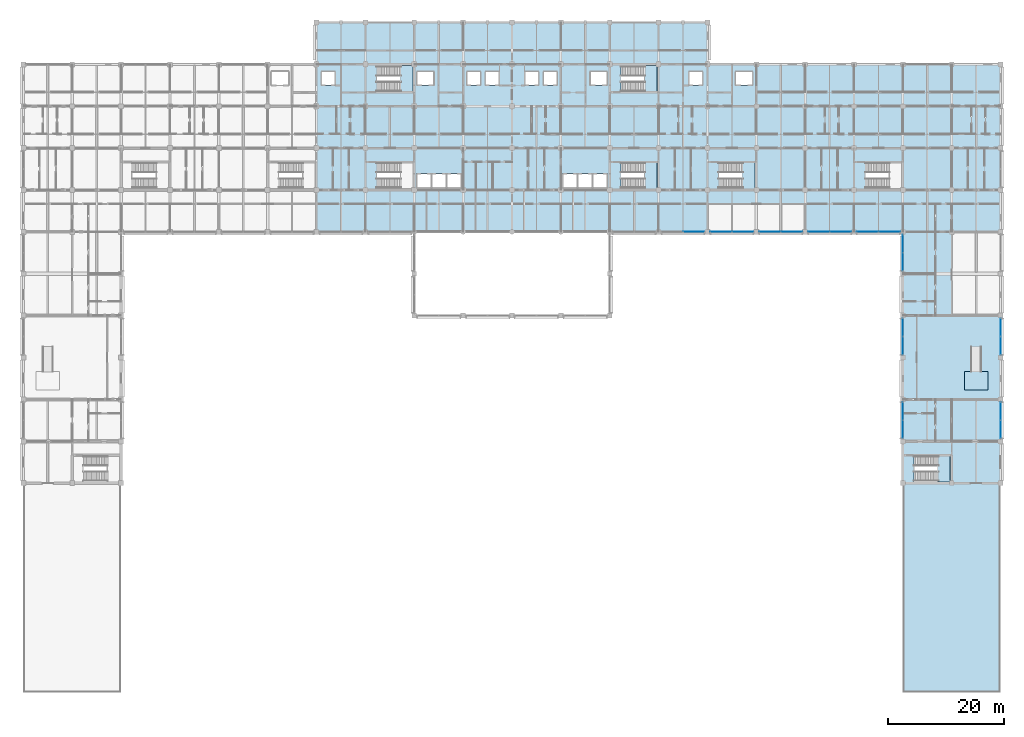
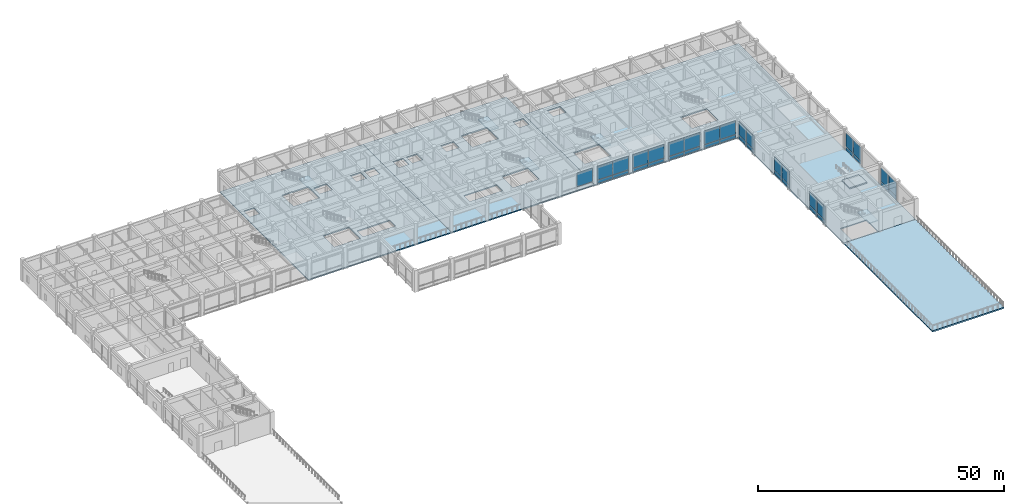
# One storey, part 19 of 51: 37 plates, 10 slabs, 15 elements without a shape of their own.
"""IFC4 building model written with IfcOpenShell, lengths in metres."""

from ifc_helpers import new_model, si_unit, direction, frame, origin, origin_2d, place, context, subcontext, project, spatial, polyline, rectangle, outline, extrude, material, layer, layer_set, type_object, element, aggregate, save


model = new_model("IFC4")

# Units and contexts
model_context = context("Model", 3, precision=1e-05, world=origin(), true_north=direction((0.0, 1.0)))
body_context = subcontext(model_context, "Body", "Model", "MODEL_VIEW")
ifc_project = project(units=[si_unit("LENGTHUNIT", "METRE"), si_unit("AREAUNIT", "SQUARE_METRE"), si_unit("VOLUMEUNIT", "CUBIC_METRE"), si_unit("PLANEANGLEUNIT", "RADIAN"), si_unit("MASSUNIT", "GRAM", prefix="KILO")], contexts=[model_context])

# Site, building, storey
site_placement = place(None, origin())
site = spatial("IfcSite", under=ifc_project, at=site_placement, CompositionType="ELEMENT")
building_placement = place(site_placement, origin())
building = spatial("IfcBuilding", under=site, at=building_placement, Name="Chengyuan Square Courthouse", CompositionType="ELEMENT")
storey_placement = place(building_placement, frame((0.0, 0.0, 10.800048828125)))
storey = spatial("IfcBuildingStorey", under=building, at=storey_placement, Name="L03", CompositionType="ELEMENT", Elevation=10.800048828125)

# Curtain wall, plate
ifc_material_1 = material(Name="Unitised Aluminium and Triple Low-E Glass", Category="aluminium")
ifc_layer_1 = layer(ifc_material_1, 0.199951171875)
ifc_layer_set_1 = layer_set([ifc_layer_1], Name="Unitised Aluminium and Triple Low-E Glass")
curtain_wall_type_1 = type_object("IfcCurtainWallType", Name="CW-07", PredefinedType="USERDEFINED", material=ifc_layer_set_1)
curtain_wall_1_placement = place(storey_placement, origin())
curtain_wall_1 = element("IfcCurtainWall", 1, at=curtain_wall_1_placement, inside=storey, type_object=curtain_wall_type_1, Name="Unitised Curtain Wall CW-L03-114", ObjectType="UNITISED CURTAIN WALL", PredefinedType="USERDEFINED")
ifc_material_2 = material(Name="Triple Low-E Insulating Glass", Category="glass")
ifc_layer_2 = layer(ifc_material_2, 0.02392578125)
ifc_layer_set_2 = layer_set([ifc_layer_2], Name="Triple Low-E Insulating Glass")
plate_type_1 = type_object("IfcPlateType", Name="CWP-01", PredefinedType="CURTAIN_PANEL", material=ifc_layer_set_2)
plate_1_placement = place(storey_placement, frame((115.257568359375, 79.199951171875, 0.98486328125), z_axis=(0.0, 0.0, 1.0), x_axis=(1.0, 0.0, 0.0)))
plate_1 = element("IfcPlate", 2, at=plate_1_placement, type_object=plate_type_1, Name="CW-07 panel 2.2", PredefinedType="CURTAIN_PANEL", context=body_context, shape_type="SweptSolid", body=[
    extrude(rectangle(XDim=3.64501953125, YDim=0.02392578125, at=origin_2d()), origin(), (0.0, 0.0, 1.0), 3.4150390625),
])
aggregate(curtain_wall_1, [plate_1])

# Curtain wall, plates
curtain_wall_2_placement = place(storey_placement, origin())
curtain_wall_2 = element("IfcCurtainWall", 3, at=curtain_wall_2_placement, inside=storey, type_object=curtain_wall_type_1, Name="Unitised Curtain Wall CW-L03-115", ObjectType="UNITISED CURTAIN WALL", PredefinedType="USERDEFINED")
plate_2_placement = place(storey_placement, frame((119.94873046875, 79.199951171875, 0.06982421875), z_axis=(0.0, 0.0, 1.0), x_axis=(1.0, 0.0, 0.0)))
plate_2 = element("IfcPlate", 4, at=plate_2_placement, type_object=plate_type_1, Name="CW-07 panel 1.1", PredefinedType="CURTAIN_PANEL", context=body_context, shape_type="SweptSolid", body=[
    extrude(rectangle(XDim=3.657470703125, YDim=0.02392578125, at=origin_2d()), origin(), (0.0, 0.0, 1.0), 0.844970703125),
])
plate_3_placement = place(storey_placement, frame((119.94873046875, 79.199951171875, 0.98486328125), z_axis=(0.0, 0.0, 1.0), x_axis=(1.0, 0.0, 0.0)))
plate_3 = element("IfcPlate", 5, at=plate_3_placement, type_object=plate_type_1, Name="CW-07 panel 1.2", PredefinedType="CURTAIN_PANEL", context=body_context, shape_type="SweptSolid", body=[
    extrude(rectangle(XDim=3.657470703125, YDim=0.02392578125, at=origin_2d()), origin(), (0.0, 0.0, 1.0), 3.4150390625),
])
plate_4_placement = place(storey_placement, frame((123.67626953125, 79.199951171875, 0.06982421875), z_axis=(0.0, 0.0, 1.0), x_axis=(1.0, 0.0, 0.0)))
plate_4 = element("IfcPlate", 6, at=plate_4_placement, type_object=plate_type_1, Name="CW-07 panel 2.1", PredefinedType="CURTAIN_PANEL", context=body_context, shape_type="SweptSolid", body=[
    extrude(rectangle(XDim=3.657470703125, YDim=0.02392578125, at=origin_2d()), origin(), (0.0, 0.0, 1.0), 0.844970703125),
])
plate_5_placement = place(storey_placement, frame((123.67626953125, 79.199951171875, 0.98486328125), z_axis=(0.0, 0.0, 1.0), x_axis=(1.0, 0.0, 0.0)))
plate_5 = element("IfcPlate", 7, at=plate_5_placement, type_object=plate_type_1, Name="CW-07 panel 2.2", PredefinedType="CURTAIN_PANEL", context=body_context, shape_type="SweptSolid", body=[
    extrude(rectangle(XDim=3.657470703125, YDim=0.02392578125, at=origin_2d()), origin(), (0.0, 0.0, 1.0), 3.4150390625),
])
aggregate(curtain_wall_2, [plate_2, plate_3, plate_4, plate_5])

curtain_wall_3_placement = place(storey_placement, origin())
curtain_wall_3 = element("IfcCurtainWall", 8, at=curtain_wall_3_placement, inside=storey, type_object=curtain_wall_type_1, Name="Unitised Curtain Wall CW-L03-116", ObjectType="UNITISED CURTAIN WALL", PredefinedType="USERDEFINED")
plate_6_placement = place(storey_placement, frame((128.330078125, 79.199951171875, 0.06982421875), z_axis=(0.0, 0.0, 1.0), x_axis=(1.0, 0.0, 0.0)))
plate_6 = element("IfcPlate", 9, at=plate_6_placement, type_object=plate_type_1, Name="CW-07 panel 1.1", PredefinedType="CURTAIN_PANEL", context=body_context, shape_type="SweptSolid", body=[
    extrude(rectangle(XDim=3.669921875, YDim=0.02392578125, at=origin_2d()), origin(), (0.0, 0.0, 1.0), 0.844970703125),
])
plate_7_placement = place(storey_placement, frame((128.330078125, 79.199951171875, 0.98486328125), z_axis=(0.0, 0.0, 1.0), x_axis=(1.0, 0.0, 0.0)))
plate_7 = element("IfcPlate", 10, at=plate_7_placement, type_object=plate_type_1, Name="CW-07 panel 1.2", PredefinedType="CURTAIN_PANEL", context=body_context, shape_type="SweptSolid", body=[
    extrude(rectangle(XDim=3.669921875, YDim=0.02392578125, at=origin_2d()), origin(), (0.0, 0.0, 1.0), 3.4150390625),
])
plate_8_placement = place(storey_placement, frame((132.070068359375, 79.199951171875, 0.06982421875), z_axis=(0.0, 0.0, 1.0), x_axis=(1.0, 0.0, 0.0)))
plate_8 = element("IfcPlate", 11, at=plate_8_placement, type_object=plate_type_1, Name="CW-07 panel 2.1", PredefinedType="CURTAIN_PANEL", context=body_context, shape_type="SweptSolid", body=[
    extrude(rectangle(XDim=3.669921875, YDim=0.02392578125, at=origin_2d()), origin(), (0.0, 0.0, 1.0), 0.844970703125),
])
plate_9_placement = place(storey_placement, frame((132.070068359375, 79.199951171875, 0.98486328125), z_axis=(0.0, 0.0, 1.0), x_axis=(1.0, 0.0, 0.0)))
plate_9 = element("IfcPlate", 12, at=plate_9_placement, type_object=plate_type_1, Name="CW-07 panel 2.2", PredefinedType="CURTAIN_PANEL", context=body_context, shape_type="SweptSolid", body=[
    extrude(rectangle(XDim=3.669921875, YDim=0.02392578125, at=origin_2d()), origin(), (0.0, 0.0, 1.0), 3.4150390625),
])
aggregate(curtain_wall_3, [plate_6, plate_7, plate_8, plate_9])

curtain_wall_4_placement = place(storey_placement, origin())
curtain_wall_4 = element("IfcCurtainWall", 13, at=curtain_wall_4_placement, inside=storey, type_object=curtain_wall_type_1, Name="Unitised Curtain Wall CW-L03-117", ObjectType="UNITISED CURTAIN WALL", PredefinedType="USERDEFINED")
plate_10_placement = place(storey_placement, frame((136.72998046875, 79.199951171875, 0.06982421875), z_axis=(0.0, 0.0, 1.0), x_axis=(1.0, 0.0, 0.0)))
plate_10 = element("IfcPlate", 14, at=plate_10_placement, type_object=plate_type_1, Name="CW-07 panel 1.1", PredefinedType="CURTAIN_PANEL", context=body_context, shape_type="SweptSolid", body=[
    extrude(rectangle(XDim=3.669921875, YDim=0.02392578125, at=origin_2d()), origin(), (0.0, 0.0, 1.0), 0.844970703125),
])
plate_11_placement = place(storey_placement, frame((136.72998046875, 79.199951171875, 0.98486328125), z_axis=(0.0, 0.0, 1.0), x_axis=(1.0, 0.0, 0.0)))
plate_11 = element("IfcPlate", 15, at=plate_11_placement, type_object=plate_type_1, Name="CW-07 panel 1.2", PredefinedType="CURTAIN_PANEL", context=body_context, shape_type="SweptSolid", body=[
    extrude(rectangle(XDim=3.669921875, YDim=0.02392578125, at=origin_2d()), origin(), (0.0, 0.0, 1.0), 3.4150390625),
])
plate_12_placement = place(storey_placement, frame((140.469970703125, 79.199951171875, 0.06982421875), z_axis=(0.0, 0.0, 1.0), x_axis=(1.0, 0.0, 0.0)))
plate_12 = element("IfcPlate", 16, at=plate_12_placement, type_object=plate_type_1, Name="CW-07 panel 2.1", PredefinedType="CURTAIN_PANEL", context=body_context, shape_type="SweptSolid", body=[
    extrude(rectangle(XDim=3.669921875, YDim=0.02392578125, at=origin_2d()), origin(), (0.0, 0.0, 1.0), 0.844970703125),
])
plate_13_placement = place(storey_placement, frame((140.469970703125, 79.199951171875, 0.98486328125), z_axis=(0.0, 0.0, 1.0), x_axis=(1.0, 0.0, 0.0)))
plate_13 = element("IfcPlate", 17, at=plate_13_placement, type_object=plate_type_1, Name="CW-07 panel 2.2", PredefinedType="CURTAIN_PANEL", context=body_context, shape_type="SweptSolid", body=[
    extrude(rectangle(XDim=3.669921875, YDim=0.02392578125, at=origin_2d()), origin(), (0.0, 0.0, 1.0), 3.4150390625),
])
aggregate(curtain_wall_4, [plate_10, plate_11, plate_12, plate_13])

curtain_wall_5_placement = place(storey_placement, origin())
curtain_wall_5 = element("IfcCurtainWall", 18, at=curtain_wall_5_placement, inside=storey, type_object=curtain_wall_type_1, Name="Unitised Curtain Wall CW-L03-118", ObjectType="UNITISED CURTAIN WALL", PredefinedType="USERDEFINED")
plate_14_placement = place(storey_placement, frame((145.1298828125, 79.199951171875, 0.06982421875), z_axis=(0.0, 0.0, 1.0), x_axis=(1.0, 0.0, 0.0)))
plate_14 = element("IfcPlate", 19, at=plate_14_placement, type_object=plate_type_1, Name="CW-07 panel 1.1", PredefinedType="CURTAIN_PANEL", context=body_context, shape_type="SweptSolid", body=[
    extrude(rectangle(XDim=3.669921875, YDim=0.02392578125, at=origin_2d()), origin(), (0.0, 0.0, 1.0), 0.844970703125),
])
plate_15_placement = place(storey_placement, frame((145.1298828125, 79.199951171875, 0.98486328125), z_axis=(0.0, 0.0, 1.0), x_axis=(1.0, 0.0, 0.0)))
plate_15 = element("IfcPlate", 20, at=plate_15_placement, type_object=plate_type_1, Name="CW-07 panel 1.2", PredefinedType="CURTAIN_PANEL", context=body_context, shape_type="SweptSolid", body=[
    extrude(rectangle(XDim=3.669921875, YDim=0.02392578125, at=origin_2d()), origin(), (0.0, 0.0, 1.0), 3.4150390625),
])
plate_16_placement = place(storey_placement, frame((148.8701171875, 79.199951171875, 0.06982421875), z_axis=(0.0, 0.0, 1.0), x_axis=(1.0, 0.0, 0.0)))
plate_16 = element("IfcPlate", 21, at=plate_16_placement, type_object=plate_type_1, Name="CW-07 panel 2.1", PredefinedType="CURTAIN_PANEL", context=body_context, shape_type="SweptSolid", body=[
    extrude(rectangle(XDim=3.669921875, YDim=0.02392578125, at=origin_2d()), origin(), (0.0, 0.0, 1.0), 0.844970703125),
])
plate_17_placement = place(storey_placement, frame((148.8701171875, 79.199951171875, 0.98486328125), z_axis=(0.0, 0.0, 1.0), x_axis=(1.0, 0.0, 0.0)))
plate_17 = element("IfcPlate", 22, at=plate_17_placement, type_object=plate_type_1, Name="CW-07 panel 2.2", PredefinedType="CURTAIN_PANEL", context=body_context, shape_type="SweptSolid", body=[
    extrude(rectangle(XDim=3.669921875, YDim=0.02392578125, at=origin_2d()), origin(), (0.0, 0.0, 1.0), 3.4150390625),
])
aggregate(curtain_wall_5, [plate_14, plate_15, plate_16, plate_17])

ifc_layer_3 = layer(ifc_material_1, 0.219970703125)
ifc_layer_set_3 = layer_set([ifc_layer_3], Name="Unitised Aluminium and Triple Low-E Glass")
curtain_wall_type_2 = type_object("IfcCurtainWallType", Name="CW-20", PredefinedType="USERDEFINED", material=ifc_layer_set_3)
curtain_wall_6_placement = place(storey_placement, origin())
curtain_wall_6 = element("IfcCurtainWall", 23, at=curtain_wall_6_placement, inside=storey, type_object=curtain_wall_type_2, Name="Unitised Curtain Wall CW-L03-119", ObjectType="UNITISED CURTAIN WALL", PredefinedType="USERDEFINED")
ifc_layer_4 = layer(ifc_material_2, 0.031982421875)
ifc_layer_set_4 = layer_set([ifc_layer_4], Name="Triple Low-E Insulating Glass")
plate_type_2 = type_object("IfcPlateType", Name="CWP-02", PredefinedType="CURTAIN_PANEL", material=ifc_layer_set_4)
plate_18_placement = place(storey_placement, frame((151.199951171875, 45.232421875, 0.079833984375), z_axis=(0.0, 0.0, 1.0), x_axis=(0.0, 1.0, 0.0)))
plate_18 = element("IfcPlate", 24, at=plate_18_placement, type_object=plate_type_2, Name="CW-20 panel 1.1", PredefinedType="CURTAIN_PANEL", context=body_context, shape_type="SweptSolid", body=[
    extrude(rectangle(XDim=3.054931640625, YDim=0.031982421875, at=origin_2d()), origin(), (0.0, 0.0, 1.0), 0.830078125),
])
plate_19_placement = place(storey_placement, frame((151.199951171875, 45.232421875, 0.989990234375), z_axis=(0.0, 0.0, 1.0), x_axis=(0.0, 1.0, 0.0)))
plate_19 = element("IfcPlate", 25, at=plate_19_placement, type_object=plate_type_2, Name="CW-20 panel 1.2", PredefinedType="CURTAIN_PANEL", context=body_context, shape_type="SweptSolid", body=[
    extrude(rectangle(XDim=3.054931640625, YDim=0.031982421875, at=origin_2d()), origin(), (0.0, 0.0, 1.0), 3.39990234375),
])
plate_20_placement = place(storey_placement, frame((151.199951171875, 48.367431640625, 0.079833984375), z_axis=(0.0, 0.0, 1.0), x_axis=(0.0, 1.0, 0.0)))
plate_20 = element("IfcPlate", 26, at=plate_20_placement, type_object=plate_type_2, Name="CW-20 panel 2.1", PredefinedType="CURTAIN_PANEL", context=body_context, shape_type="SweptSolid", body=[
    extrude(rectangle(XDim=3.054931640625, YDim=0.031982421875, at=origin_2d()), origin(), (0.0, 0.0, 1.0), 0.830078125),
])
plate_21_placement = place(storey_placement, frame((151.199951171875, 48.367431640625, 0.989990234375), z_axis=(0.0, 0.0, 1.0), x_axis=(0.0, 1.0, 0.0)))
plate_21 = element("IfcPlate", 27, at=plate_21_placement, type_object=plate_type_2, Name="CW-20 panel 2.2", PredefinedType="CURTAIN_PANEL", context=body_context, shape_type="SweptSolid", body=[
    extrude(rectangle(XDim=3.054931640625, YDim=0.031982421875, at=origin_2d()), origin(), (0.0, 0.0, 1.0), 3.39990234375),
])
aggregate(curtain_wall_6, [plate_18, plate_19, plate_20, plate_21])

curtain_wall_7_placement = place(storey_placement, origin())
curtain_wall_7 = element("IfcCurtainWall", 28, at=curtain_wall_7_placement, inside=storey, type_object=curtain_wall_type_2, Name="Unitised Curtain Wall CW-L03-120", ObjectType="UNITISED CURTAIN WALL", PredefinedType="USERDEFINED")
plate_22_placement = place(storey_placement, frame((151.199951171875, 59.632568359375, 0.079833984375), z_axis=(0.0, 0.0, 1.0), x_axis=(0.0, 1.0, 0.0)))
plate_22 = element("IfcPlate", 29, at=plate_22_placement, type_object=plate_type_2, Name="CW-20 panel 1.1", PredefinedType="CURTAIN_PANEL", context=body_context, shape_type="SweptSolid", body=[
    extrude(rectangle(XDim=3.054931640625, YDim=0.031982421875, at=origin_2d()), origin(), (0.0, 0.0, 1.0), 0.830078125),
])
plate_23_placement = place(storey_placement, frame((151.199951171875, 59.632568359375, 0.989990234375), z_axis=(0.0, 0.0, 1.0), x_axis=(0.0, 1.0, 0.0)))
plate_23 = element("IfcPlate", 30, at=plate_23_placement, type_object=plate_type_2, Name="CW-20 panel 1.2", PredefinedType="CURTAIN_PANEL", context=body_context, shape_type="SweptSolid", body=[
    extrude(rectangle(XDim=3.054931640625, YDim=0.031982421875, at=origin_2d()), origin(), (0.0, 0.0, 1.0), 3.39990234375),
])
plate_24_placement = place(storey_placement, frame((151.199951171875, 62.767578125, 0.079833984375), z_axis=(0.0, 0.0, 1.0), x_axis=(0.0, 1.0, 0.0)))
plate_24 = element("IfcPlate", 31, at=plate_24_placement, type_object=plate_type_2, Name="CW-20 panel 2.1", PredefinedType="CURTAIN_PANEL", context=body_context, shape_type="SweptSolid", body=[
    extrude(rectangle(XDim=3.054931640625, YDim=0.031982421875, at=origin_2d()), origin(), (0.0, 0.0, 1.0), 0.830078125),
])
plate_25_placement = place(storey_placement, frame((151.199951171875, 62.767578125, 0.989990234375), z_axis=(0.0, 0.0, 1.0), x_axis=(0.0, 1.0, 0.0)))
plate_25 = element("IfcPlate", 32, at=plate_25_placement, type_object=plate_type_2, Name="CW-20 panel 2.2", PredefinedType="CURTAIN_PANEL", context=body_context, shape_type="SweptSolid", body=[
    extrude(rectangle(XDim=3.054931640625, YDim=0.031982421875, at=origin_2d()), origin(), (0.0, 0.0, 1.0), 3.39990234375),
])
aggregate(curtain_wall_7, [plate_22, plate_23, plate_24, plate_25])

curtain_wall_8_placement = place(storey_placement, origin())
curtain_wall_8 = element("IfcCurtainWall", 33, at=curtain_wall_8_placement, inside=storey, type_object=curtain_wall_type_2, Name="Unitised Curtain Wall CW-L03-121", ObjectType="UNITISED CURTAIN WALL", PredefinedType="USERDEFINED")
plate_26_placement = place(storey_placement, frame((151.199951171875, 74.032470703125, 0.079833984375), z_axis=(0.0, 0.0, 1.0), x_axis=(0.0, 1.0, 0.0)))
plate_26 = element("IfcPlate", 34, at=plate_26_placement, type_object=plate_type_2, Name="CW-20 panel 1.1", PredefinedType="CURTAIN_PANEL", context=body_context, shape_type="SweptSolid", body=[
    extrude(rectangle(XDim=3.054931640625, YDim=0.031982421875, at=origin_2d()), origin(), (0.0, 0.0, 1.0), 0.830078125),
])
plate_27_placement = place(storey_placement, frame((151.199951171875, 74.032470703125, 0.989990234375), z_axis=(0.0, 0.0, 1.0), x_axis=(0.0, 1.0, 0.0)))
plate_27 = element("IfcPlate", 35, at=plate_27_placement, type_object=plate_type_2, Name="CW-20 panel 1.2", PredefinedType="CURTAIN_PANEL", context=body_context, shape_type="SweptSolid", body=[
    extrude(rectangle(XDim=3.054931640625, YDim=0.031982421875, at=origin_2d()), origin(), (0.0, 0.0, 1.0), 3.39990234375),
])
plate_28_placement = place(storey_placement, frame((151.199951171875, 77.16748046875, 0.079833984375), z_axis=(0.0, 0.0, 1.0), x_axis=(0.0, 1.0, 0.0)))
plate_28 = element("IfcPlate", 36, at=plate_28_placement, type_object=plate_type_2, Name="CW-20 panel 2.1", PredefinedType="CURTAIN_PANEL", context=body_context, shape_type="SweptSolid", body=[
    extrude(rectangle(XDim=3.054931640625, YDim=0.031982421875, at=origin_2d()), origin(), (0.0, 0.0, 1.0), 0.830078125),
])
plate_29_placement = place(storey_placement, frame((151.199951171875, 77.16748046875, 0.989990234375), z_axis=(0.0, 0.0, 1.0), x_axis=(0.0, 1.0, 0.0)))
plate_29 = element("IfcPlate", 37, at=plate_29_placement, type_object=plate_type_2, Name="CW-20 panel 2.2", PredefinedType="CURTAIN_PANEL", context=body_context, shape_type="SweptSolid", body=[
    extrude(rectangle(XDim=3.054931640625, YDim=0.031982421875, at=origin_2d()), origin(), (0.0, 0.0, 1.0), 3.39990234375),
])
aggregate(curtain_wall_8, [plate_26, plate_27, plate_28, plate_29])

curtain_wall_9_placement = place(storey_placement, origin())
curtain_wall_9 = element("IfcCurtainWall", 38, at=curtain_wall_9_placement, inside=storey, type_object=curtain_wall_type_2, Name="Unitised Curtain Wall CW-L03-123", ObjectType="UNITISED CURTAIN WALL", PredefinedType="USERDEFINED")
plate_30_placement = place(storey_placement, frame((168.0, 45.232421875, 0.079833984375), z_axis=(0.0, 0.0, 1.0), x_axis=(0.0, 1.0, 0.0)))
plate_30 = element("IfcPlate", 39, at=plate_30_placement, type_object=plate_type_2, Name="CW-20 panel 1.1", PredefinedType="CURTAIN_PANEL", context=body_context, shape_type="SweptSolid", body=[
    extrude(rectangle(XDim=3.054931640625, YDim=0.031982421875, at=origin_2d()), origin(), (0.0, 0.0, 1.0), 0.830078125),
])
plate_31_placement = place(storey_placement, frame((168.0, 45.232421875, 0.989990234375), z_axis=(0.0, 0.0, 1.0), x_axis=(0.0, 1.0, 0.0)))
plate_31 = element("IfcPlate", 40, at=plate_31_placement, type_object=plate_type_2, Name="CW-20 panel 1.2", PredefinedType="CURTAIN_PANEL", context=body_context, shape_type="SweptSolid", body=[
    extrude(rectangle(XDim=3.054931640625, YDim=0.031982421875, at=origin_2d()), origin(), (0.0, 0.0, 1.0), 3.39990234375),
])
plate_32_placement = place(storey_placement, frame((168.0, 48.367431640625, 0.079833984375), z_axis=(0.0, 0.0, 1.0), x_axis=(0.0, 1.0, 0.0)))
plate_32 = element("IfcPlate", 41, at=plate_32_placement, type_object=plate_type_2, Name="CW-20 panel 2.1", PredefinedType="CURTAIN_PANEL", context=body_context, shape_type="SweptSolid", body=[
    extrude(rectangle(XDim=3.054931640625, YDim=0.031982421875, at=origin_2d()), origin(), (0.0, 0.0, 1.0), 0.830078125),
])
plate_33_placement = place(storey_placement, frame((168.0, 48.367431640625, 0.989990234375), z_axis=(0.0, 0.0, 1.0), x_axis=(0.0, 1.0, 0.0)))
plate_33 = element("IfcPlate", 42, at=plate_33_placement, type_object=plate_type_2, Name="CW-20 panel 2.2", PredefinedType="CURTAIN_PANEL", context=body_context, shape_type="SweptSolid", body=[
    extrude(rectangle(XDim=3.054931640625, YDim=0.031982421875, at=origin_2d()), origin(), (0.0, 0.0, 1.0), 3.39990234375),
])
aggregate(curtain_wall_9, [plate_30, plate_31, plate_32, plate_33])

curtain_wall_10_placement = place(storey_placement, origin())
curtain_wall_10 = element("IfcCurtainWall", 43, at=curtain_wall_10_placement, inside=storey, type_object=curtain_wall_type_2, Name="Unitised Curtain Wall CW-L03-124", ObjectType="UNITISED CURTAIN WALL", PredefinedType="USERDEFINED")
plate_34_placement = place(storey_placement, frame((168.0, 59.632568359375, 0.079833984375), z_axis=(0.0, 0.0, 1.0), x_axis=(0.0, 1.0, 0.0)))
plate_34 = element("IfcPlate", 44, at=plate_34_placement, type_object=plate_type_2, Name="CW-20 panel 1.1", PredefinedType="CURTAIN_PANEL", context=body_context, shape_type="SweptSolid", body=[
    extrude(rectangle(XDim=3.054931640625, YDim=0.031982421875, at=origin_2d()), origin(), (0.0, 0.0, 1.0), 0.830078125),
])
plate_35_placement = place(storey_placement, frame((168.0, 59.632568359375, 0.989990234375), z_axis=(0.0, 0.0, 1.0), x_axis=(0.0, 1.0, 0.0)))
plate_35 = element("IfcPlate", 45, at=plate_35_placement, type_object=plate_type_2, Name="CW-20 panel 1.2", PredefinedType="CURTAIN_PANEL", context=body_context, shape_type="SweptSolid", body=[
    extrude(rectangle(XDim=3.054931640625, YDim=0.031982421875, at=origin_2d()), origin(), (0.0, 0.0, 1.0), 3.39990234375),
])
plate_36_placement = place(storey_placement, frame((168.0, 62.767578125, 0.079833984375), z_axis=(0.0, 0.0, 1.0), x_axis=(0.0, 1.0, 0.0)))
plate_36 = element("IfcPlate", 46, at=plate_36_placement, type_object=plate_type_2, Name="CW-20 panel 2.1", PredefinedType="CURTAIN_PANEL", context=body_context, shape_type="SweptSolid", body=[
    extrude(rectangle(XDim=3.054931640625, YDim=0.031982421875, at=origin_2d()), origin(), (0.0, 0.0, 1.0), 0.830078125),
])
plate_37_placement = place(storey_placement, frame((168.0, 62.767578125, 0.989990234375), z_axis=(0.0, 0.0, 1.0), x_axis=(0.0, 1.0, 0.0)))
plate_37 = element("IfcPlate", 47, at=plate_37_placement, type_object=plate_type_2, Name="CW-20 panel 2.2", PredefinedType="CURTAIN_PANEL", context=body_context, shape_type="SweptSolid", body=[
    extrude(rectangle(XDim=3.054931640625, YDim=0.031982421875, at=origin_2d()), origin(), (0.0, 0.0, 1.0), 3.39990234375),
])
aggregate(curtain_wall_10, [plate_34, plate_35, plate_36, plate_37])

# Slab
ifc_material_3 = material(Name="Concrete C40", Category="concrete")
ifc_layer_5 = layer(ifc_material_3, 0.27001953125)
ifc_layer_set_5 = layer_set([ifc_layer_5], Name="Concrete C40")
slab_type_1 = type_object("IfcSlabType", Name="SL-DAIS", PredefinedType="FLOOR", material=ifc_layer_set_5)
slab_1_placement = place(storey_placement, origin())
element("IfcSlab", 48, at=slab_1_placement, inside=storey, type_object=slab_type_1, Name="Courtroom Accessible Judicial Dais 2", PredefinedType="FLOOR", context=body_context, shape_type="SweptSolid", body=[
    extrude(outline(polyline([(161.800048828125, 52.0), (165.800048828125, 52.0), (165.800048828125, 55.199951171875), (161.800048828125, 55.199951171875), (161.800048828125, 52.0)])), origin(), (0.0, 0.0, 1.0), 0.27001953125),
])

# Stair, slab
stair_type_1 = type_object("IfcStairType", Name="ST-TYPE-01", PredefinedType="HALF_TURN_STAIR", material=ifc_material_3)
stair_1_placement = place(storey_placement, origin())
stair_1 = element("IfcStair", 49, at=stair_1_placement, inside=storey, type_object=stair_type_1, Name="Smoke-Proof Exit Stair ST-1 (L03 to L04)", PredefinedType="HALF_TURN_STAIR")
ifc_layer_6 = layer(ifc_material_3, 0.18994140625)
ifc_layer_set_6 = layer_set([ifc_layer_6], Name="Concrete C40")
slab_type_2 = type_object("IfcSlabType", Name="SL-LND1", PredefinedType="LANDING", material=ifc_layer_set_6)
slab_2_placement = place(storey_placement, frame((0.0, 0.0, 2.510009765625)))
slab_2 = element("IfcSlab", 50, at=slab_2_placement, type_object=slab_type_2, Name="ST-1 landing 1", PredefinedType="LANDING", context=body_context, shape_type="SweptSolid", body=[
    extrude(outline(polyline([(64.72998046875, 103.159912109375), (66.93994140625, 103.159912109375), (66.93994140625, 107.840087890625), (64.72998046875, 107.840087890625), (64.72998046875, 103.159912109375)])), origin(), (0.0, 0.0, 1.0), 0.18994140625),
])
aggregate(stair_1, [slab_2])

stair_type_2 = type_object("IfcStairType", Name="ST-TYPE-02", PredefinedType="HALF_TURN_STAIR", material=ifc_material_3)
stair_2_placement = place(storey_placement, origin())
stair_2 = element("IfcStair", 51, at=stair_2_placement, inside=storey, type_object=stair_type_2, Name="Smoke-Proof Exit Stair ST-2 (L03 to L04)", PredefinedType="HALF_TURN_STAIR")
slab_3_placement = place(storey_placement, frame((0.0, 0.0, 2.510009765625)))
slab_3 = element("IfcSlab", 52, at=slab_3_placement, type_object=slab_type_2, Name="ST-2 landing 1", PredefinedType="LANDING", context=body_context, shape_type="SweptSolid", body=[
    extrude(outline(polyline([(106.72998046875, 103.159912109375), (108.93994140625, 103.159912109375), (108.93994140625, 107.840087890625), (106.72998046875, 107.840087890625), (106.72998046875, 103.159912109375)])), origin(), (0.0, 0.0, 1.0), 0.18994140625),
])
aggregate(stair_2, [slab_3])

stair_type_3 = type_object("IfcStairType", Name="ST-TYPE-04", PredefinedType="HALF_TURN_STAIR", material=ifc_material_3)
stair_3_placement = place(storey_placement, origin())
stair_3 = element("IfcStair", 53, at=stair_3_placement, inside=storey, type_object=stair_type_3, Name="Smoke-Proof Exit Stair ST-4 (L03 to L04)", PredefinedType="HALF_TURN_STAIR")
slab_4_placement = place(storey_placement, frame((0.0, 0.0, 2.510009765625)))
slab_4 = element("IfcSlab", 54, at=slab_4_placement, type_object=slab_type_2, Name="ST-4 landing 1", PredefinedType="LANDING", context=body_context, shape_type="SweptSolid", body=[
    extrude(outline(polyline([(106.72998046875, 86.56005859375), (108.93994140625, 86.56005859375), (108.93994140625, 91.239990234375), (106.72998046875, 91.239990234375), (106.72998046875, 86.56005859375)])), origin(), (0.0, 0.0, 1.0), 0.18994140625),
])
aggregate(stair_3, [slab_4])

stair_type_4 = type_object("IfcStairType", Name="ST-TYPE-06", PredefinedType="HALF_TURN_STAIR", material=ifc_material_3)
stair_4_placement = place(storey_placement, origin())
stair_4 = element("IfcStair", 55, at=stair_4_placement, inside=storey, type_object=stair_type_4, Name="Smoke-Proof Exit Stair ST-6 (L03 to L04)", PredefinedType="HALF_TURN_STAIR")
slab_5_placement = place(storey_placement, frame((0.0, 0.0, 2.510009765625)))
slab_5 = element("IfcSlab", 56, at=slab_5_placement, type_object=slab_type_2, Name="ST-6 landing 1", PredefinedType="LANDING", context=body_context, shape_type="SweptSolid", body=[
    extrude(outline(polyline([(123.530029296875, 86.56005859375), (125.739990234375, 86.56005859375), (125.739990234375, 91.239990234375), (123.530029296875, 91.239990234375), (123.530029296875, 86.56005859375)])), origin(), (0.0, 0.0, 1.0), 0.18994140625),
])
aggregate(stair_4, [slab_5])

stair_type_5 = type_object("IfcStairType", Name="ST-TYPE-08", PredefinedType="HALF_TURN_STAIR", material=ifc_material_3)
stair_5_placement = place(storey_placement, origin())
stair_5 = element("IfcStair", 57, at=stair_5_placement, inside=storey, type_object=stair_type_5, Name="Smoke-Proof Exit Stair ST-8 (L03 to L04)", PredefinedType="HALF_TURN_STAIR")
slab_6_placement = place(storey_placement, frame((0.0, 0.0, 2.510009765625)))
slab_6 = element("IfcSlab", 58, at=slab_6_placement, type_object=slab_type_2, Name="ST-8 landing 1", PredefinedType="LANDING", context=body_context, shape_type="SweptSolid", body=[
    extrude(outline(polyline([(157.1298828125, 36.159912109375), (159.340087890625, 36.159912109375), (159.340087890625, 40.840087890625), (157.1298828125, 40.840087890625), (157.1298828125, 36.159912109375)])), origin(), (0.0, 0.0, 1.0), 0.18994140625),
])
aggregate(stair_5, [slab_6])

# Slabs
ifc_material_4 = material(Name="Post-tensioned Concrete C50", Category="concrete")
ifc_layer_7 = layer(ifc_material_4, 0.280029296875)
ifc_layer_set_7 = layer_set([ifc_layer_7], Name="Post-tensioned Concrete C50")
slab_type_3 = type_object("IfcSlabType", Name="SL-PT28", PredefinedType="FLOOR", material=ifc_layer_set_7)
slab_7_placement = place(storey_placement, frame((0.0, 0.0, -0.280029296875)))
element("IfcSlab", 59, at=slab_7_placement, inside=storey, type_object=slab_type_3, Name="Suspended Floor Slab SL-L03-02", PredefinedType="FLOOR", context=body_context, shape_type="SweptSolid", body=[
    extrude(outline(polyline([(50.39990234375, 115.199951171875), (58.800048828125, 115.199951171875), (67.199951171875, 115.199951171875), (75.60009765625, 115.199951171875), (84.0, 115.199951171875), (84.0, 79.199951171875), (67.199951171875, 79.199951171875), (58.800048828125, 79.199951171875), (50.39990234375, 79.199951171875), (50.39990234375, 108.0), (50.39990234375, 115.199951171875)]), holes=[polyline([(70.14990234375, 89.199951171875), (67.60009765625, 89.199951171875), (67.60009765625, 86.800048828125), (70.14990234375, 86.800048828125), (72.75, 86.800048828125), (75.300048828125, 86.800048828125), (75.300048828125, 89.199951171875), (72.75, 89.199951171875), (70.14990234375, 89.199951171875)]), polyline([(66.89990234375, 91.199951171875), (60.75, 91.199951171875), (60.75, 86.60009765625), (66.89990234375, 86.60009765625), (66.89990234375, 91.199951171875)]), polyline([(66.89990234375, 107.800048828125), (60.75, 107.800048828125), (60.75, 103.199951171875), (66.89990234375, 103.199951171875), (66.89990234375, 107.800048828125)]), polyline([(53.60009765625, 106.800048828125), (51.199951171875, 106.800048828125), (51.199951171875, 104.39990234375), (53.60009765625, 104.39990234375), (53.60009765625, 106.800048828125)]), polyline([(70.60009765625, 106.800048828125), (67.60009765625, 106.800048828125), (67.60009765625, 104.39990234375), (70.60009765625, 104.39990234375), (70.60009765625, 106.800048828125)]), polyline([(78.60009765625, 106.800048828125), (76.199951171875, 106.800048828125), (76.199951171875, 104.39990234375), (78.60009765625, 104.39990234375), (78.60009765625, 106.800048828125)]), polyline([(79.39990234375, 106.800048828125), (79.39990234375, 104.39990234375), (81.800048828125, 104.39990234375), (81.800048828125, 106.800048828125), (79.39990234375, 106.800048828125)])]), origin(), (0.0, 0.0, 1.0), 0.280029296875),
])
slab_8_placement = place(storey_placement, frame((0.0, 0.0, -0.280029296875)))
element("IfcSlab", 60, at=slab_8_placement, inside=storey, type_object=slab_type_3, Name="Suspended Floor Slab SL-L03-03", PredefinedType="FLOOR", context=body_context, shape_type="SweptSolid", body=[
    extrude(outline(polyline([(92.39990234375, 115.199951171875), (100.800048828125, 115.199951171875), (109.199951171875, 115.199951171875), (117.60009765625, 115.199951171875), (117.60009765625, 108.0), (117.60009765625, 79.199951171875), (109.199951171875, 79.199951171875), (100.800048828125, 79.199951171875), (84.0, 79.199951171875), (84.0, 115.199951171875), (92.39990234375, 115.199951171875)]), holes=[polyline([(95.25, 89.199951171875), (92.699951171875, 89.199951171875), (92.699951171875, 86.800048828125), (95.25, 86.800048828125), (97.85009765625, 86.800048828125), (100.39990234375, 86.800048828125), (100.39990234375, 89.199951171875), (97.85009765625, 89.199951171875), (95.25, 89.199951171875)]), polyline([(108.89990234375, 91.199951171875), (102.75, 91.199951171875), (102.75, 86.60009765625), (108.89990234375, 86.60009765625), (108.89990234375, 91.199951171875)]), polyline([(108.89990234375, 107.800048828125), (102.75, 107.800048828125), (102.75, 103.199951171875), (108.89990234375, 103.199951171875), (108.89990234375, 107.800048828125)]), polyline([(88.60009765625, 106.800048828125), (86.199951171875, 106.800048828125), (86.199951171875, 104.39990234375), (88.60009765625, 104.39990234375), (88.60009765625, 106.800048828125)]), polyline([(91.800048828125, 106.800048828125), (89.39990234375, 106.800048828125), (89.39990234375, 104.39990234375), (91.800048828125, 104.39990234375), (91.800048828125, 106.800048828125)]), polyline([(100.39990234375, 106.800048828125), (97.39990234375, 106.800048828125), (97.39990234375, 104.39990234375), (100.39990234375, 104.39990234375), (100.39990234375, 106.800048828125)]), polyline([(116.800048828125, 106.800048828125), (114.39990234375, 106.800048828125), (114.39990234375, 104.39990234375), (116.800048828125, 104.39990234375), (116.800048828125, 106.800048828125)])]), origin(), (0.0, 0.0, 1.0), 0.280029296875),
])
slab_9_placement = place(storey_placement, frame((0.0, 0.0, -0.280029296875)))
element("IfcSlab", 61, at=slab_9_placement, inside=storey, type_object=slab_type_3, Name="Suspended Floor Slab SL-L03-04", PredefinedType="FLOOR", context=body_context, shape_type="SweptSolid", body=[
    extrude(outline(polyline([(126.0, 108.0), (134.39990234375, 108.0), (142.800048828125, 108.0), (151.199951171875, 108.0), (159.60009765625, 108.0), (168.0, 108.0), (168.0, 100.800048828125), (168.0, 93.60009765625), (168.0, 86.39990234375), (168.0, 79.199951171875), (168.0, 72.0), (168.0, 64.800048828125), (168.0, 57.60009765625), (168.0, 50.39990234375), (168.0, 43.199951171875), (168.0, 36.0), (159.60009765625, 36.0), (151.199951171875, 36.0), (151.199951171875, 43.199951171875), (151.199951171875, 50.39990234375), (151.199951171875, 57.60009765625), (151.199951171875, 64.800048828125), (151.199951171875, 72.0), (151.199951171875, 79.199951171875), (142.800048828125, 79.199951171875), (134.39990234375, 79.199951171875), (126.0, 79.199951171875), (117.60009765625, 79.199951171875), (117.60009765625, 108.0), (126.0, 108.0)]), holes=[polyline([(159.300048828125, 40.800048828125), (153.14990234375, 40.800048828125), (153.14990234375, 36.199951171875), (159.300048828125, 36.199951171875), (159.300048828125, 40.800048828125)]), polyline([(125.699951171875, 91.199951171875), (119.550048828125, 91.199951171875), (119.550048828125, 86.60009765625), (125.699951171875, 86.60009765625), (125.699951171875, 91.199951171875)]), polyline([(144.75, 91.199951171875), (144.75, 86.60009765625), (150.89990234375, 86.60009765625), (150.89990234375, 91.199951171875), (144.75, 91.199951171875)]), polyline([(125.39990234375, 106.800048828125), (122.39990234375, 106.800048828125), (122.39990234375, 104.39990234375), (125.39990234375, 104.39990234375), (125.39990234375, 106.800048828125)])]), origin(), (0.0, 0.0, 1.0), 0.280029296875),
])
ifc_layer_8 = layer(ifc_material_3, 0.35009765625)
ifc_layer_set_8 = layer_set([ifc_layer_8], Name="Concrete C40")
slab_type_4 = type_object("IfcSlabType", Name="SL-TER", PredefinedType="ROOF", material=ifc_layer_set_8)
slab_10_placement = place(storey_placement, frame((0.0, 0.0, -0.35009765625)))
element("IfcSlab", 62, at=slab_10_placement, inside=storey, type_object=slab_type_4, Name="East Square Overlook Planted Terrace", PredefinedType="ROOF", context=body_context, shape_type="SweptSolid", body=[
    extrude(outline(polyline([(151.199951171875, 14.39990234375), (151.199951171875, 21.60009765625), (151.199951171875, 28.800048828125), (151.199951171875, 36.0), (159.60009765625, 36.0), (168.0, 36.0), (168.0, 28.800048828125), (168.0, 21.60009765625), (168.0, 14.39990234375), (168.0, 7.199951171875), (168.0, 0.0), (159.60009765625, 0.0), (151.199951171875, 0.0), (151.199951171875, 7.199951171875), (151.199951171875, 14.39990234375)])), origin(), (0.0, 0.0, 1.0), 0.35009765625),
])

save(model, "model.ifc")
